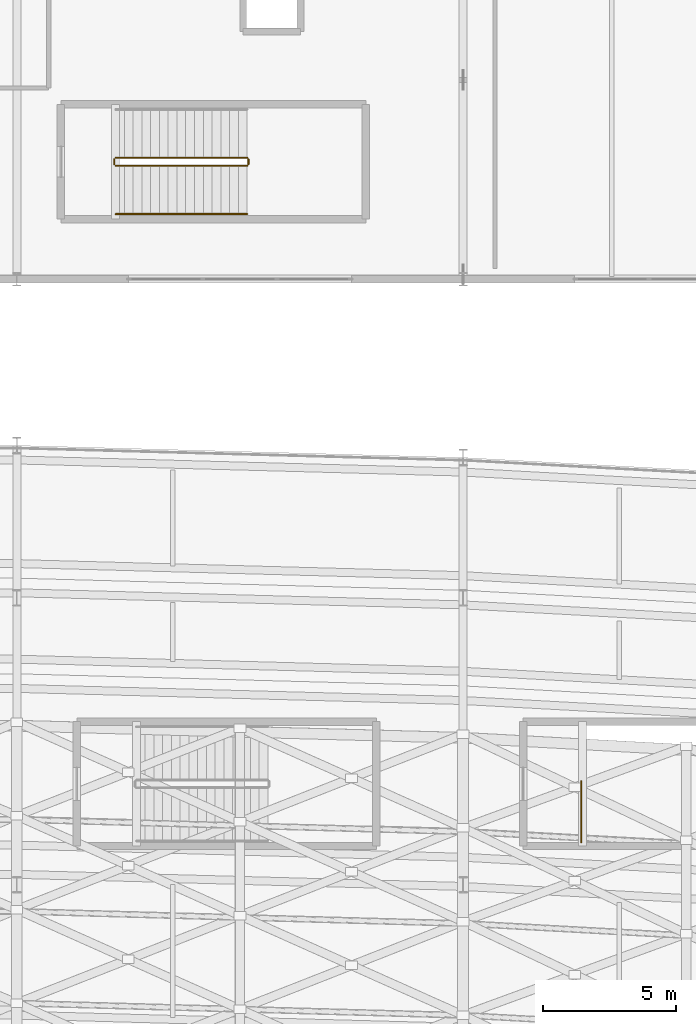
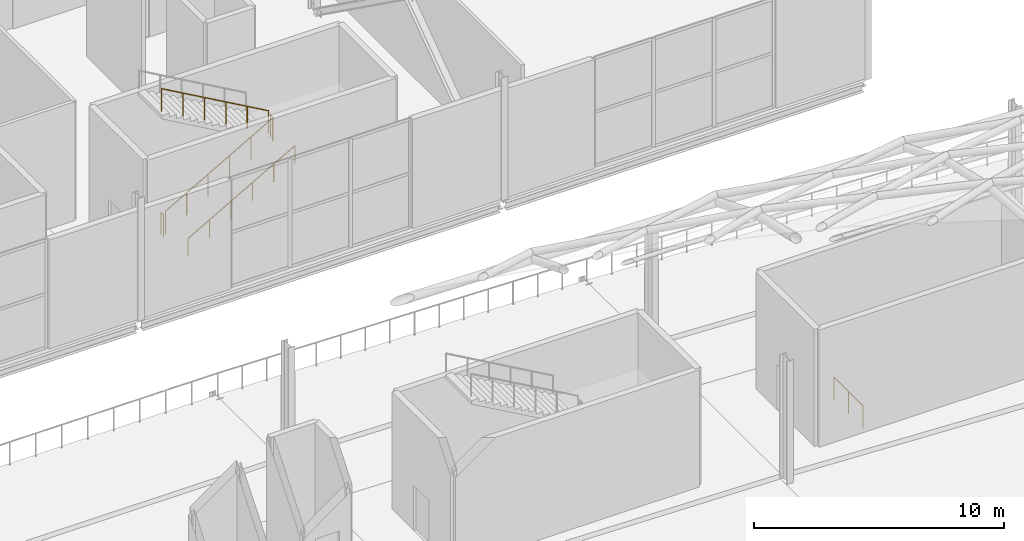
# One storey, part 97 of 100: 6 railings.
"""IFC4 building model written with IfcOpenShell, lengths in metres."""

from ifc_helpers import new_model, si_unit, direction, frame, origin, origin_2d, place, context, subcontext, project, spatial, circle, extrude, material, type_object, element, save


model = new_model("IFC4")

# Units and contexts
model_context = context("Model", 3, precision=1e-05, world=origin(), true_north=direction((0.0, 1.0)))
body_context = subcontext(model_context, "Body", "Model", "MODEL_VIEW")
ifc_project = project(units=[si_unit("LENGTHUNIT", "METRE"), si_unit("AREAUNIT", "SQUARE_METRE"), si_unit("VOLUMEUNIT", "CUBIC_METRE"), si_unit("PLANEANGLEUNIT", "RADIAN"), si_unit("MASSUNIT", "GRAM", prefix="KILO")], contexts=[model_context])

# Site, building, storey
site_placement = place(None, origin())
site = spatial("IfcSite", under=ifc_project, at=site_placement, CompositionType="ELEMENT")
building_placement = place(site_placement, origin())
building = spatial("IfcBuilding", under=site, at=building_placement, Name="Kimbaza Rail Terminus", CompositionType="ELEMENT")
storey_placement = place(building_placement, frame((0.0, 0.0, 10.800048828125)))
storey = spatial("IfcBuildingStorey", under=building, at=storey_placement, Name="L02", CompositionType="ELEMENT", Elevation=10.800048828125)

# Railings
ifc_material_1 = material(Name="Brushed stainless steel handrail", Category="steel")
railing_type_1 = type_object("IfcRailingType", Name="ARC-RL-HND92", PredefinedType="HANDRAIL", material=ifc_material_1)
railing_1_placement = place(storey_placement, frame((126.1201171875, 105.449951171875, 0.1875)))
element("IfcRailing", 1, at=railing_1_placement, inside=storey, type_object=railing_type_1, Name="L02 ST-E1 stair handrail 1", PredefinedType="HANDRAIL", context=body_context, shape_type="SweptSolid", body=[
    extrude(circle(Radius=0.02392578125, at=origin_2d()), frame((0.0, 0.0, 0.8759765625), z_axis=(0.869454464302, 0.0, 0.494013091431), x_axis=(0.0, 1.0, 0.0)), (0.0, 0.0, 1.0), 5.693115234375),
    extrude(circle(Radius=0.02099609375, at=origin_2d()), origin(), (0.0, 0.0, 1.0), 0.851806640625),
    extrude(circle(Radius=0.02099609375, at=origin_2d()), frame((0.989990234375, 0.0, 0.5625)), (0.0, 0.0, 1.0), 0.851806640625),
    extrude(circle(Radius=0.02099609375, at=origin_2d()), frame((1.97998046875, 0.0, 1.125)), (0.0, 0.0, 1.0), 0.851806640625),
    extrude(circle(Radius=0.02099609375, at=origin_2d()), frame((2.969970703125, 0.0, 1.6875)), (0.0, 0.0, 1.0), 0.851806640625),
    extrude(circle(Radius=0.02099609375, at=origin_2d()), frame((3.9599609375, 0.0, 2.25)), (0.0, 0.0, 1.0), 0.851806640625),
    extrude(circle(Radius=0.02099609375, at=origin_2d()), frame((4.949951171875, 0.0, 2.8125)), (0.0, 0.0, 1.0), 0.851806640625),
])
ifc_material_2 = material(Name="Painted tubular steel stair well guard", Category="steel")
railing_type_2 = type_object("IfcRailingType", Name="ARC-RL-STGRD", PredefinedType="GUARDRAIL", material=ifc_material_2)
railing_2_placement = place(storey_placement, frame((126.1201171875, 107.27001953125, 0.1875)))
element("IfcRailing", 2, at=railing_2_placement, inside=storey, type_object=railing_type_2, Name="L02 ST-E1 stair guard 1", PredefinedType="GUARDRAIL", context=body_context, shape_type="SweptSolid", body=[
    extrude(circle(Radius=0.02392578125, at=origin_2d()), frame((0.0, 0.0, 1.09619140625), z_axis=(0.869454464302, 0.0, 0.494013091431), x_axis=(0.0, 1.0, 0.0)), (0.0, 0.0, 1.0), 5.693115234375),
    extrude(circle(Radius=0.02099609375, at=origin_2d()), origin(), (0.0, 0.0, 1.0), 1.072021484375),
    extrude(circle(Radius=0.02099609375, at=origin_2d()), frame((0.989990234375, 0.0, 0.5625)), (0.0, 0.0, 1.0), 1.072021484375),
    extrude(circle(Radius=0.02099609375, at=origin_2d()), frame((1.97998046875, 0.0, 1.125)), (0.0, 0.0, 1.0), 1.072021484375),
    extrude(circle(Radius=0.02099609375, at=origin_2d()), frame((2.969970703125, 0.0, 1.6875)), (0.0, 0.0, 1.0), 1.072021484375),
    extrude(circle(Radius=0.02099609375, at=origin_2d()), frame((3.9599609375, 0.0, 2.25)), (0.0, 0.0, 1.0), 1.072021484375),
    extrude(circle(Radius=0.02099609375, at=origin_2d()), frame((4.949951171875, 0.0, 2.8125)), (0.0, 0.0, 1.0), 1.072021484375),
])
railing_3_placement = place(storey_placement, frame((131.1201171875, 107.320068359375, 3.0)))
element("IfcRailing", 3, at=railing_3_placement, inside=storey, type_object=railing_type_2, Name="L02 ST-E1 stair guard 2", PredefinedType="GUARDRAIL", context=body_context, shape_type="SweptSolid", body=[
    extrude(circle(Radius=0.02392578125, at=origin_2d()), frame((0.0, 0.0, 1.09619140625), z_axis=(0.0, 1.0, 0.0), x_axis=(-1.0, 0.0, 0.0)), (0.0, 0.0, 1.0), 0.199951171875),
    extrude(circle(Radius=0.02099609375, at=origin_2d()), origin(), (0.0, 0.0, 1.0), 1.072021484375),
    extrude(circle(Radius=0.02099609375, at=origin_2d()), frame((0.0, 0.199951171875, 0.0)), (0.0, 0.0, 1.0), 1.072021484375),
])
railing_4_placement = place(storey_placement, frame((131.070068359375, 107.570068359375, 3.1875)))
element("IfcRailing", 4, at=railing_4_placement, inside=storey, type_object=railing_type_2, Name="L02 ST-E1 stair guard 3", PredefinedType="GUARDRAIL", context=body_context, shape_type="SweptSolid", body=[
    extrude(circle(Radius=0.02392578125, at=origin_2d()), frame((0.0, 0.0, 1.09619140625), z_axis=(-0.869454464302, 0.0, 0.494013091431), x_axis=(0.0, -1.0, 0.0)), (0.0, 0.0, 1.0), 5.693115234375),
    extrude(circle(Radius=0.02099609375, at=origin_2d()), origin(), (0.0, 0.0, 1.0), 1.072021484375),
    extrude(circle(Radius=0.02099609375, at=origin_2d()), frame((-0.989990234375, 0.0, 0.5625)), (0.0, 0.0, 1.0), 1.072021484375),
    extrude(circle(Radius=0.02099609375, at=origin_2d()), frame((-1.97998046875, 0.0, 1.125)), (0.0, 0.0, 1.0), 1.072021484375),
    extrude(circle(Radius=0.02099609375, at=origin_2d()), frame((-2.969970703125, 0.0, 1.6875)), (0.0, 0.0, 1.0), 1.072021484375),
    extrude(circle(Radius=0.02099609375, at=origin_2d()), frame((-3.9599609375, 0.0, 2.25)), (0.0, 0.0, 1.0), 1.072021484375),
    extrude(circle(Radius=0.02099609375, at=origin_2d()), frame((-4.949951171875, 0.0, 2.8125)), (0.0, 0.0, 1.0), 1.072021484375),
])
railing_5_placement = place(storey_placement, frame((126.070068359375, 107.320068359375, 0.0)))
element("IfcRailing", 5, at=railing_5_placement, inside=storey, type_object=railing_type_2, Name="L02 ST-E1 stair guard 4", PredefinedType="GUARDRAIL", context=body_context, shape_type="SweptSolid", body=[
    extrude(circle(Radius=0.02392578125, at=origin_2d()), frame((0.0, 0.0, 1.09619140625), z_axis=(0.0, 1.0, 0.0), x_axis=(-1.0, 0.0, 0.0)), (0.0, 0.0, 1.0), 0.199951171875),
    extrude(circle(Radius=0.02099609375, at=origin_2d()), origin(), (0.0, 0.0, 1.0), 1.072021484375),
    extrude(circle(Radius=0.02099609375, at=origin_2d()), frame((0.0, 0.199951171875, 0.0)), (0.0, 0.0, 1.0), 1.072021484375),
])
railing_6_placement = place(storey_placement, frame((143.64990234375, 81.800048828125, 0.0)))
element("IfcRailing", 6, at=railing_6_placement, inside=storey, type_object=railing_type_2, Name="L02 ST-C2 top well guard 1", PredefinedType="GUARDRAIL", context=body_context, shape_type="SweptSolid", body=[
    extrude(circle(Radius=0.02392578125, at=origin_2d()), frame((0.0, 0.0, 1.09619140625), z_axis=(0.0, 1.0, 0.0), x_axis=(-1.0, 0.0, 0.0)), (0.0, 0.0, 1.0), 2.300048828125),
    extrude(circle(Radius=0.02099609375, at=origin_2d()), origin(), (0.0, 0.0, 1.0), 1.072021484375),
    extrude(circle(Radius=0.02099609375, at=origin_2d()), frame((0.0, 1.14990234375, 0.0)), (0.0, 0.0, 1.0), 1.072021484375),
    extrude(circle(Radius=0.02099609375, at=origin_2d()), frame((0.0, 2.300048828125, 0.0)), (0.0, 0.0, 1.0), 1.072021484375),
])

save(model, "model.ifc")
